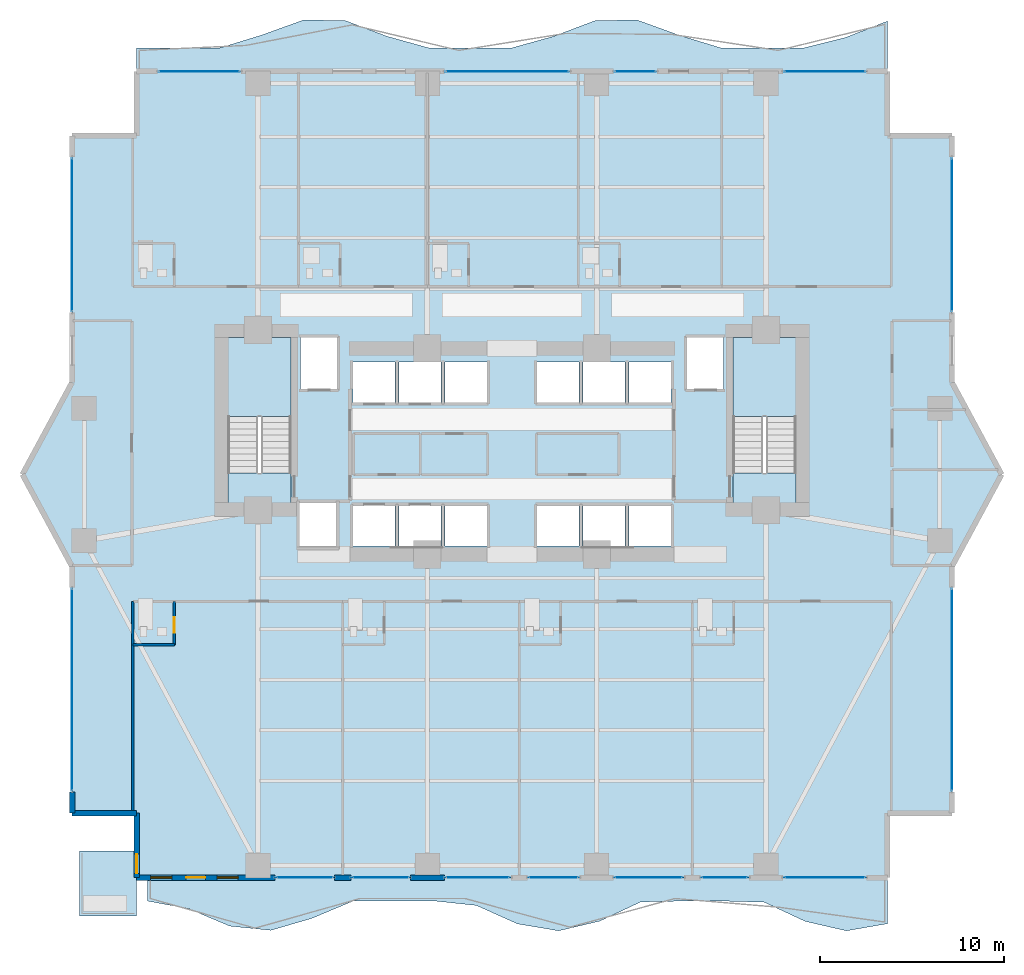
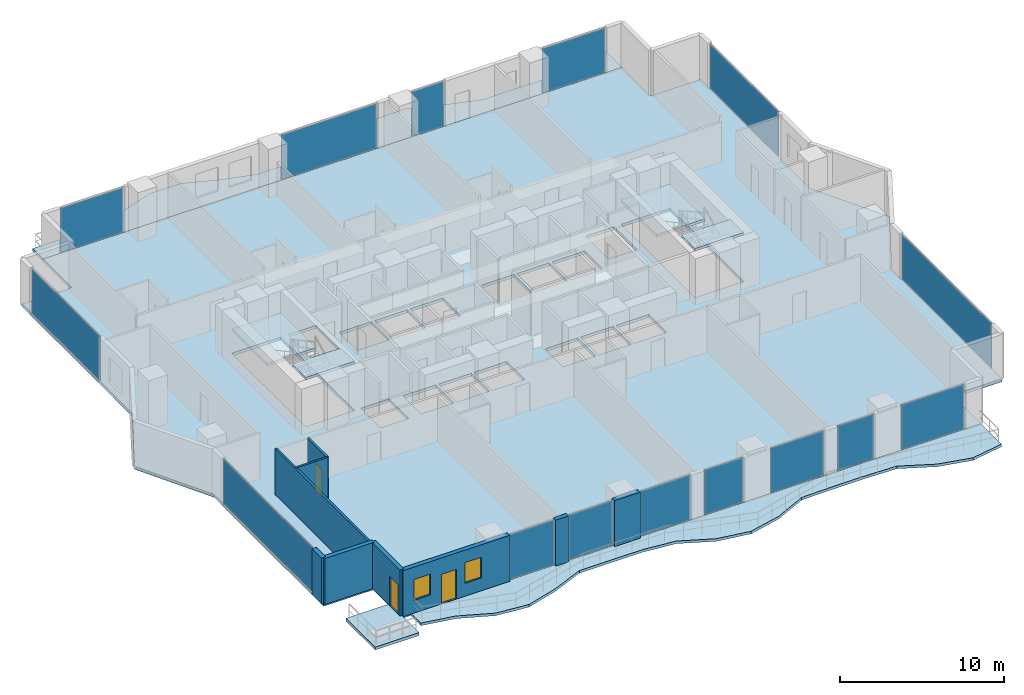
# One storey, part 19 of 27: 15 plates, 9 walls, 8 slabs, 3 doors, 2 windows, 5 openings, 17 elements without a shape of their own.
"""IFC4 building model written with IfcOpenShell, lengths in metres."""

from ifc_helpers import new_model, si_unit, direction, frame, frame_2d, origin, origin_2d, place, context, subcontext, project, spatial, polyline, rectangle, outline, extrude, material, layer, layer_set, type_object, element, fill, aggregate, save


model = new_model("IFC4")

# Units and contexts
model_context = context("Model", 3, precision=1e-05, world=origin(), true_north=direction((0.0, 1.0)))
body_context = subcontext(model_context, "Body", "Model", "MODEL_VIEW")
ifc_project = project(units=[si_unit("LENGTHUNIT", "METRE"), si_unit("AREAUNIT", "SQUARE_METRE"), si_unit("VOLUMEUNIT", "CUBIC_METRE"), si_unit("PLANEANGLEUNIT", "RADIAN"), si_unit("MASSUNIT", "GRAM", prefix="KILO")], contexts=[model_context])

# Site, building, storey
site_placement = place(None, origin())
site = spatial("IfcSite", under=ifc_project, at=site_placement, CompositionType="ELEMENT")
building_placement = place(site_placement, origin())
building = spatial("IfcBuilding", under=site, at=building_placement, Name="Zuhayl Quay Hotel", CompositionType="ELEMENT")
storey_placement = place(building_placement, frame((0.0, 0.0, 124.85009765625)))
storey = spatial("IfcBuildingStorey", under=building, at=storey_placement, Name="L31", CompositionType="ELEMENT", Elevation=124.85009765625)

# Curtain wall, plate
ifc_material_1 = material(Name="Anodised Aluminium 6063-T6", Category="aluminium")
ifc_layer_1 = layer(ifc_material_1, 0.179931640625, Name="Anodised Aluminium 6063-T6", Category="aluminium")
ifc_layer_set_1 = layer_set([ifc_layer_1], Name="Anodised Aluminium 6063-T6")
curtain_wall_type = type_object("IfcCurtainWallType", Name="CW_SYS_Z2", PredefinedType="USERDEFINED", material=ifc_layer_set_1)
curtain_wall_1_placement = place(storey_placement, origin())
curtain_wall_1 = element("IfcCurtainWall", 1, at=curtain_wall_1_placement, inside=storey, type_object=curtain_wall_type, Name="L31 Curtain Wall ENV_L31_E02_CW1", ObjectType="UNITISED CURTAIN WALL", PredefinedType="USERDEFINED")
ifc_material_2 = material(Name="Dark Ceramic-Fritted Solar Glass", Category="glass")
ifc_layer_2 = layer(ifc_material_2, 0.035888671875, Name="Dark Ceramic-Fritted Solar Glass", Category="glass")
ifc_layer_set_2 = layer_set([ifc_layer_2], Name="Dark Ceramic-Fritted Solar Glass")
plate_type = type_object("IfcPlateType", Name="PN_DARK_FRIT_Z1", PredefinedType="CURTAIN_PANEL", material=ifc_layer_set_2)
plate_1_placement = place(storey_placement, frame((-23.89990234375, -5.199951171875, 0.059814453125), z_axis=(0.0, 0.0, 1.0), x_axis=(0.0, 1.0, 0.0)))
plate_1 = element("IfcPlate", 2, at=plate_1_placement, type_object=plate_type, Name="CW-Z2 panel 1.1", PredefinedType="CURTAIN_PANEL", context=body_context, shape_type="SweptSolid", body=[
    extrude(rectangle(XDim=10.969970703125, YDim=0.035888671875, at=origin_2d()), origin(), (0.0, 0.0, 1.0), 3.31005859375),
])
aggregate(curtain_wall_1, [plate_1])

curtain_wall_2_placement = place(storey_placement, origin())
curtain_wall_2 = element("IfcCurtainWall", 3, at=curtain_wall_2_placement, inside=storey, type_object=curtain_wall_type, Name="L31 Curtain Wall ENV_L31_E05_CW1", ObjectType="UNITISED CURTAIN WALL", PredefinedType="USERDEFINED")
plate_2_placement = place(storey_placement, frame((-23.89990234375, 19.52490234375, 0.059814453125), z_axis=(0.0, 0.0, 1.0), x_axis=(0.0, 1.0, 0.0)))
plate_2 = element("IfcPlate", 4, at=plate_2_placement, type_object=plate_type, Name="CW-Z2 panel 1.1", PredefinedType="CURTAIN_PANEL", context=body_context, shape_type="SweptSolid", body=[
    extrude(rectangle(XDim=8.320068359375, YDim=0.035888671875, at=origin_2d()), origin(), (0.0, 0.0, 1.0), 3.31005859375),
])
aggregate(curtain_wall_2, [plate_2])

curtain_wall_3_placement = place(storey_placement, origin())
curtain_wall_3 = element("IfcCurtainWall", 5, at=curtain_wall_3_placement, inside=storey, type_object=curtain_wall_type, Name="L31 Curtain Wall ENV_L31_N_CW1", ObjectType="UNITISED CURTAIN WALL", PredefinedType="USERDEFINED")
plate_3_placement = place(storey_placement, frame((-16.985107421875, 28.39990234375, 0.059814453125), z_axis=(0.0, 0.0, 1.0), x_axis=(1.0, 0.0, 0.0)))
plate_3 = element("IfcPlate", 6, at=plate_3_placement, type_object=plate_type, Name="CW-Z2 panel 1.1", PredefinedType="CURTAIN_PANEL", context=body_context, shape_type="SweptSolid", body=[
    extrude(rectangle(XDim=4.39990234375, YDim=0.035888671875, at=origin_2d()), origin(), (0.0, 0.0, 1.0), 3.31005859375),
])
aggregate(curtain_wall_3, [plate_3])

curtain_wall_4_placement = place(storey_placement, origin())
curtain_wall_4 = element("IfcCurtainWall", 7, at=curtain_wall_4_placement, inside=storey, type_object=curtain_wall_type, Name="L31 Curtain Wall ENV_L31_N_CW2", ObjectType="UNITISED CURTAIN WALL", PredefinedType="USERDEFINED")
plate_4_placement = place(storey_placement, frame((-0.264892578125, 28.39990234375, 0.059814453125), z_axis=(0.0, 0.0, 1.0), x_axis=(1.0, 0.0, 0.0)))
plate_4 = element("IfcPlate", 8, at=plate_4_placement, type_object=plate_type, Name="CW-Z2 panel 1.1", PredefinedType="CURTAIN_PANEL", context=body_context, shape_type="SweptSolid", body=[
    extrude(rectangle(XDim=6.699951171875, YDim=0.035888671875, at=origin_2d()), origin(), (0.0, 0.0, 1.0), 3.31005859375),
])
aggregate(curtain_wall_4, [plate_4])

curtain_wall_5_placement = place(storey_placement, origin())
curtain_wall_5 = element("IfcCurtainWall", 9, at=curtain_wall_5_placement, inside=storey, type_object=curtain_wall_type, Name="L31 Curtain Wall ENV_L31_N_CW3", ObjectType="UNITISED CURTAIN WALL", PredefinedType="USERDEFINED")
plate_5_placement = place(storey_placement, frame((6.702392578125, 28.39990234375, 0.059814453125), z_axis=(0.0, 0.0, 1.0), x_axis=(1.0, 0.0, 0.0)))
plate_5 = element("IfcPlate", 10, at=plate_5_placement, type_object=plate_type, Name="CW-Z2 panel 1.1", PredefinedType="CURTAIN_PANEL", context=body_context, shape_type="SweptSolid", body=[
    extrude(rectangle(XDim=2.235107421875, YDim=0.035888671875, at=origin_2d()), origin(), (0.0, 0.0, 1.0), 3.31005859375),
])
aggregate(curtain_wall_5, [plate_5])

curtain_wall_6_placement = place(storey_placement, origin())
curtain_wall_6 = element("IfcCurtainWall", 11, at=curtain_wall_6_placement, inside=storey, type_object=curtain_wall_type, Name="L31 Curtain Wall ENV_L31_N_CW4", ObjectType="UNITISED CURTAIN WALL", PredefinedType="USERDEFINED")
plate_6_placement = place(storey_placement, frame((16.985107421875, 28.39990234375, 0.059814453125), z_axis=(0.0, 0.0, 1.0), x_axis=(1.0, 0.0, 0.0)))
plate_6 = element("IfcPlate", 12, at=plate_6_placement, type_object=plate_type, Name="CW-Z2 panel 1.1", PredefinedType="CURTAIN_PANEL", context=body_context, shape_type="SweptSolid", body=[
    extrude(rectangle(XDim=4.39990234375, YDim=0.035888671875, at=origin_2d()), origin(), (0.0, 0.0, 1.0), 3.31005859375),
])
aggregate(curtain_wall_6, [plate_6])

curtain_wall_7_placement = place(storey_placement, origin())
curtain_wall_7 = element("IfcCurtainWall", 13, at=curtain_wall_7_placement, inside=storey, type_object=curtain_wall_type, Name="L31 Curtain Wall ENV_L31_E11_CW1", ObjectType="UNITISED CURTAIN WALL", PredefinedType="USERDEFINED")
plate_7_placement = place(storey_placement, frame((23.89990234375, 19.52490234375, 0.059814453125), z_axis=(0.0, 0.0, 1.0), x_axis=(0.0, -1.0, 0.0)))
plate_7 = element("IfcPlate", 14, at=plate_7_placement, type_object=plate_type, Name="CW-Z2 panel 1.1", PredefinedType="CURTAIN_PANEL", context=body_context, shape_type="SweptSolid", body=[
    extrude(rectangle(XDim=8.320068359375, YDim=0.035888671875, at=origin_2d()), origin(), (0.0, 0.0, 1.0), 3.31005859375),
])
aggregate(curtain_wall_7, [plate_7])

curtain_wall_8_placement = place(storey_placement, origin())
curtain_wall_8 = element("IfcCurtainWall", 15, at=curtain_wall_8_placement, inside=storey, type_object=curtain_wall_type, Name="L31 Curtain Wall ENV_L31_E14_CW1", ObjectType="UNITISED CURTAIN WALL", PredefinedType="USERDEFINED")
plate_8_placement = place(storey_placement, frame((23.89990234375, -5.199951171875, 0.059814453125), z_axis=(0.0, 0.0, 1.0), x_axis=(0.0, -1.0, 0.0)))
plate_8 = element("IfcPlate", 16, at=plate_8_placement, type_object=plate_type, Name="CW-Z2 panel 1.1", PredefinedType="CURTAIN_PANEL", context=body_context, shape_type="SweptSolid", body=[
    extrude(rectangle(XDim=10.969970703125, YDim=0.035888671875, at=origin_2d()), origin(), (0.0, 0.0, 1.0), 3.31005859375),
])
aggregate(curtain_wall_8, [plate_8])

curtain_wall_9_placement = place(storey_placement, origin())
curtain_wall_9 = element("IfcCurtainWall", 17, at=curtain_wall_9_placement, inside=storey, type_object=curtain_wall_type, Name="L31 Curtain Wall ENV_L31_S_CW1", ObjectType="UNITISED CURTAIN WALL", PredefinedType="USERDEFINED")
plate_9_placement = place(storey_placement, frame((16.985107421875, -15.39990234375, 0.059814453125), z_axis=(0.0, 0.0, 1.0), x_axis=(-1.0, 0.0, 0.0)))
plate_9 = element("IfcPlate", 18, at=plate_9_placement, type_object=plate_type, Name="CW-Z2 panel 1.1", PredefinedType="CURTAIN_PANEL", context=body_context, shape_type="SweptSolid", body=[
    extrude(rectangle(XDim=4.39990234375, YDim=0.035888671875, at=origin_2d()), origin(), (0.0, 0.0, 1.0), 3.31005859375),
])
aggregate(curtain_wall_9, [plate_9])

curtain_wall_10_placement = place(storey_placement, origin())
curtain_wall_10 = element("IfcCurtainWall", 19, at=curtain_wall_10_placement, inside=storey, type_object=curtain_wall_type, Name="L31 Curtain Wall ENV_L31_S_CW2", ObjectType="UNITISED CURTAIN WALL", PredefinedType="USERDEFINED")
plate_10_placement = place(storey_placement, frame((11.56494140625, -15.39990234375, 0.059814453125), z_axis=(0.0, 0.0, 1.0), x_axis=(-1.0, 0.0, 0.0)))
plate_10 = element("IfcPlate", 20, at=plate_10_placement, type_object=plate_type, Name="CW-Z2 panel 1.1", PredefinedType="CURTAIN_PANEL", context=body_context, shape_type="SweptSolid", body=[
    extrude(rectangle(XDim=2.5, YDim=0.035888671875, at=origin_2d()), origin(), (0.0, 0.0, 1.0), 3.31005859375),
])
aggregate(curtain_wall_10, [plate_10])

curtain_wall_11_placement = place(storey_placement, origin())
curtain_wall_11 = element("IfcCurtainWall", 21, at=curtain_wall_11_placement, inside=storey, type_object=curtain_wall_type, Name="L31 Curtain Wall ENV_L31_S_CW3", ObjectType="UNITISED CURTAIN WALL", PredefinedType="USERDEFINED")
plate_11_placement = place(storey_placement, frame((7.43505859375, -15.39990234375, 0.059814453125), z_axis=(0.0, 0.0, 1.0), x_axis=(-1.0, 0.0, 0.0)))
plate_11 = element("IfcPlate", 22, at=plate_11_placement, type_object=plate_type, Name="CW-Z2 panel 1.1", PredefinedType="CURTAIN_PANEL", context=body_context, shape_type="SweptSolid", body=[
    extrude(rectangle(XDim=3.699951171875, YDim=0.035888671875, at=origin_2d()), origin(), (0.0, 0.0, 1.0), 3.31005859375),
])
aggregate(curtain_wall_11, [plate_11])

curtain_wall_12_placement = place(storey_placement, origin())
curtain_wall_12 = element("IfcCurtainWall", 23, at=curtain_wall_12_placement, inside=storey, type_object=curtain_wall_type, Name="L31 Curtain Wall ENV_L31_S_CW4", ObjectType="UNITISED CURTAIN WALL", PredefinedType="USERDEFINED")
plate_12_placement = place(storey_placement, frame((2.264892578125, -15.39990234375, 0.059814453125), z_axis=(0.0, 0.0, 1.0), x_axis=(-1.0, 0.0, 0.0)))
plate_12 = element("IfcPlate", 24, at=plate_12_placement, type_object=plate_type, Name="CW-Z2 panel 1.1", PredefinedType="CURTAIN_PANEL", context=body_context, shape_type="SweptSolid", body=[
    extrude(rectangle(XDim=2.699951171875, YDim=0.035888671875, at=origin_2d()), origin(), (0.0, 0.0, 1.0), 3.31005859375),
])
aggregate(curtain_wall_12, [plate_12])

curtain_wall_13_placement = place(storey_placement, origin())
curtain_wall_13 = element("IfcCurtainWall", 25, at=curtain_wall_13_placement, inside=storey, type_object=curtain_wall_type, Name="L31 Curtain Wall ENV_L31_S_CW5", ObjectType="UNITISED CURTAIN WALL", PredefinedType="USERDEFINED")
plate_13_placement = place(storey_placement, frame((-1.864990234375, -15.39990234375, 0.059814453125), z_axis=(0.0, 0.0, 1.0), x_axis=(-1.0, 0.0, 0.0)))
plate_13 = element("IfcPlate", 26, at=plate_13_placement, type_object=plate_type, Name="CW-Z2 panel 1.1", PredefinedType="CURTAIN_PANEL", context=body_context, shape_type="SweptSolid", body=[
    extrude(rectangle(XDim=3.5, YDim=0.035888671875, at=origin_2d()), origin(), (0.0, 0.0, 1.0), 3.31005859375),
])
aggregate(curtain_wall_13, [plate_13])

curtain_wall_14_placement = place(storey_placement, origin())
curtain_wall_14 = element("IfcCurtainWall", 27, at=curtain_wall_14_placement, inside=storey, type_object=curtain_wall_type, Name="L31 Curtain Wall ENV_L31_S_CW6", ObjectType="UNITISED CURTAIN WALL", PredefinedType="USERDEFINED")
plate_14_placement = place(storey_placement, frame((-7.135009765625, -15.39990234375, 0.059814453125), z_axis=(0.0, 0.0, 1.0), x_axis=(-1.0, 0.0, 0.0)))
plate_14 = element("IfcPlate", 28, at=plate_14_placement, type_object=plate_type, Name="CW-Z2 panel 1.1", PredefinedType="CURTAIN_PANEL", context=body_context, shape_type="SweptSolid", body=[
    extrude(rectangle(XDim=3.10009765625, YDim=0.035888671875, at=origin_2d()), origin(), (0.0, 0.0, 1.0), 3.31005859375),
])
aggregate(curtain_wall_14, [plate_14])

curtain_wall_15_placement = place(storey_placement, origin())
curtain_wall_15 = element("IfcCurtainWall", 29, at=curtain_wall_15_placement, inside=storey, type_object=curtain_wall_type, Name="L31 Curtain Wall ENV_L31_S_CW7", ObjectType="UNITISED CURTAIN WALL", PredefinedType="USERDEFINED")
plate_15_placement = place(storey_placement, frame((-11.264892578125, -15.39990234375, 0.059814453125), z_axis=(0.0, 0.0, 1.0), x_axis=(-1.0, 0.0, 0.0)))
plate_15 = element("IfcPlate", 30, at=plate_15_placement, type_object=plate_type, Name="CW-Z2 panel 1.1", PredefinedType="CURTAIN_PANEL", context=body_context, shape_type="SweptSolid", body=[
    extrude(rectangle(XDim=3.10009765625, YDim=0.035888671875, at=origin_2d()), origin(), (0.0, 0.0, 1.0), 3.31005859375),
])
aggregate(curtain_wall_15, [plate_15])

# Slabs
ifc_material_3 = material(Name="Concrete C45/55", Category="concrete")
ifc_layer_3 = layer(ifc_material_3, 0.195068359375, Name="Concrete C45/55", Category="concrete")
ifc_layer_set_3 = layer_set([ifc_layer_3], Name="Concrete C45/55")
slab_type_1 = type_object("IfcSlabType", Name="SL_BALCONY_195", PredefinedType="FLOOR", material=ifc_layer_set_3)
slab_1_placement = place(storey_placement, frame((0.0, 0.0, -0.195068359375)))
element("IfcSlab", 31, at=slab_1_placement, inside=storey, type_object=slab_type_1, Name="L31 Exterior Rippling Balcony Slab North", PredefinedType="FLOOR", context=body_context, shape_type="SweptSolid", body=[
    extrude(outline(polyline([(-20.39990234375, 28.39990234375), (20.39990234375, 28.39990234375), (20.39990234375, 31.132568359375), (18.13330078125, 30.24560546875), (15.86669921875, 29.679931640625), (13.60009765625, 29.679931640625), (11.333251953125, 29.679931640625), (9.066650390625, 30.37353515625), (6.800048828125, 31.19189453125), (4.533203125, 31.163818359375), (2.2666015625, 30.309814453125), (0.0, 29.679931640625), (-2.2666015625, 29.679931640625), (-4.533203125, 29.679931640625), (-6.800048828125, 30.309814453125), (-9.066650390625, 31.163818359375), (-11.333251953125, 31.19189453125), (-13.60009765625, 30.37353515625), (-15.86669921875, 29.679931640625), (-18.13330078125, 29.679931640625), (-20.39990234375, 29.679931640625), (-20.39990234375, 28.39990234375)])), origin(), (0.0, 0.0, 1.0), 0.195068359375),
])
slab_2_placement = place(storey_placement, frame((0.0, 0.0, -0.195068359375)))
element("IfcSlab", 32, at=slab_2_placement, inside=storey, type_object=slab_type_1, Name="L31 Exterior Rippling Balcony Slab South", PredefinedType="FLOOR", context=body_context, shape_type="SweptSolid", body=[
    extrude(outline(polyline([(-19.800048828125, -16.679931640625), (-17.566650390625, -17.09912109375), (-15.333251953125, -18.041748046875), (-13.10009765625, -18.269287109375), (-10.86669921875, -17.617431640625), (-8.63330078125, -16.679931640625), (-6.39990234375, -16.679931640625), (-4.166748046875, -16.679931640625), (-1.933349609375, -16.919189453125), (0.300048828125, -17.922119140625), (2.533203125, -18.296142578125), (4.7666015625, -17.771484375), (7.0, -16.7265625), (9.2333984375, -16.679931640625), (11.466796875, -16.679931640625), (13.699951171875, -16.7421875), (15.933349609375, -17.78466796875), (18.166748046875, -18.29736328125), (20.39990234375, -17.910400390625), (20.39990234375, -15.39990234375), (-19.800048828125, -15.39990234375), (-19.800048828125, -16.679931640625)])), origin(), (0.0, 0.0, 1.0), 0.195068359375),
])
ifc_layer_4 = layer(ifc_material_3, 0.219970703125, Name="Concrete C45/55", Category="concrete")
ifc_layer_set_4 = layer_set([ifc_layer_4], Name="Concrete C45/55")
slab_type_2 = type_object("IfcSlabType", Name="SL_FLOOR_220", PredefinedType="FLOOR", material=ifc_layer_set_4)
slab_3_placement = place(storey_placement, frame((0.0, 0.0, -0.22021484375)))
element("IfcSlab", 33, at=slab_3_placement, inside=storey, type_object=slab_type_2, Name="L31 Structural Floor Slab", PredefinedType="FLOOR", context=body_context, shape_type="SweptSolid", body=[
    extrude(outline(polyline([(-20.39990234375, -15.39990234375), (20.39990234375, -15.39990234375), (20.39990234375, -11.89990234375), (23.89990234375, -11.89990234375), (23.89990234375, 1.5), (26.60009765625, 6.5), (23.89990234375, 11.5), (23.89990234375, 24.89990234375), (20.39990234375, 24.89990234375), (20.39990234375, 28.39990234375), (-20.39990234375, 28.39990234375), (-20.39990234375, 24.89990234375), (-23.89990234375, 24.89990234375), (-23.89990234375, 11.5), (-26.60009765625, 6.5), (-23.89990234375, 1.5), (-23.89990234375, -11.89990234375), (-20.39990234375, -11.89990234375), (-20.39990234375, -15.39990234375)]), holes=[polyline([(-12.0, 4.949951171875), (-12.0, 13.949951171875), (-15.429931640625, 13.949951171875), (-15.429931640625, 4.949951171875), (-12.0, 4.949951171875)]), polyline([(15.429931640625, 4.949951171875), (15.429931640625, 13.949951171875), (12.0, 13.949951171875), (12.0, 4.949951171875), (15.429931640625, 4.949951171875)]), polyline([(-11.5, 11.14990234375), (-9.5, 11.14990234375), (-9.5, 13.949951171875), (-11.5, 13.949951171875), (-11.5, 11.14990234375)]), polyline([(9.5, 11.14990234375), (11.5, 11.14990234375), (11.5, 13.949951171875), (9.5, 13.949951171875), (9.5, 11.14990234375)]), polyline([(-8.64990234375, 2.60009765625), (-6.35009765625, 2.60009765625), (-6.35009765625, 4.800048828125), (-8.64990234375, 4.800048828125), (-8.64990234375, 2.60009765625)]), polyline([(-6.14990234375, 2.60009765625), (-3.85009765625, 2.60009765625), (-3.85009765625, 4.800048828125), (-6.14990234375, 4.800048828125), (-6.14990234375, 2.60009765625)]), polyline([(-8.64990234375, 10.39990234375), (-6.35009765625, 10.39990234375), (-6.35009765625, 12.60009765625), (-8.64990234375, 12.60009765625), (-8.64990234375, 10.39990234375)]), polyline([(-6.14990234375, 10.39990234375), (-3.85009765625, 10.39990234375), (-3.85009765625, 12.60009765625), (-6.14990234375, 12.60009765625), (-6.14990234375, 10.39990234375)]), polyline([(-3.64990234375, 2.60009765625), (-1.35009765625, 2.60009765625), (-1.35009765625, 4.800048828125), (-3.64990234375, 4.800048828125), (-3.64990234375, 2.60009765625)]), polyline([(1.35009765625, 2.60009765625), (3.64990234375, 2.60009765625), (3.64990234375, 4.800048828125), (1.35009765625, 4.800048828125), (1.35009765625, 2.60009765625)]), polyline([(-3.64990234375, 10.39990234375), (-1.35009765625, 10.39990234375), (-1.35009765625, 12.60009765625), (-3.64990234375, 12.60009765625), (-3.64990234375, 10.39990234375)]), polyline([(1.35009765625, 10.39990234375), (3.64990234375, 10.39990234375), (3.64990234375, 12.60009765625), (1.35009765625, 12.60009765625), (1.35009765625, 10.39990234375)]), polyline([(3.85009765625, 2.60009765625), (6.14990234375, 2.60009765625), (6.14990234375, 4.800048828125), (3.85009765625, 4.800048828125), (3.85009765625, 2.60009765625)]), polyline([(6.35009765625, 2.60009765625), (8.64990234375, 2.60009765625), (8.64990234375, 4.800048828125), (6.35009765625, 4.800048828125), (6.35009765625, 2.60009765625)]), polyline([(3.85009765625, 10.39990234375), (6.14990234375, 10.39990234375), (6.14990234375, 12.60009765625), (3.85009765625, 12.60009765625), (3.85009765625, 10.39990234375)]), polyline([(6.35009765625, 10.39990234375), (8.64990234375, 10.39990234375), (8.64990234375, 12.60009765625), (6.35009765625, 12.60009765625), (6.35009765625, 10.39990234375)]), polyline([(-11.550048828125, 2.550048828125), (-9.550048828125, 2.550048828125), (-9.550048828125, 4.949951171875), (-11.550048828125, 4.949951171875), (-11.550048828125, 2.550048828125)])]), origin(), (0.0, 0.0, 1.0), 0.22021484375),
])

# Stair, slabs
stair_type = type_object("IfcStairType", Name="ST_DOGLEG_TOWER", PredefinedType="HALF_TURN_STAIR", material=ifc_material_3)
stair_1_placement = place(storey_placement, origin())
stair_1 = element("IfcStair", 34, at=stair_1_placement, inside=storey, type_object=stair_type, Name="L31 Smokeproof Exit Stair ST1", PredefinedType="HALF_TURN_STAIR")
ifc_layer_5 = layer(ifc_material_3, 0.199951171875, Name="Concrete C45/55", Category="concrete")
ifc_layer_set_5 = layer_set([ifc_layer_5], Name="Concrete C45/55")
slab_type_3 = type_object("IfcSlabType", Name="SL_STAIR_LANDING_200", PredefinedType="LANDING", material=ifc_layer_set_5)
slab_4_placement = place(storey_placement, frame((0.0, 0.0, 1.625)))
slab_4 = element("IfcSlab", 35, at=slab_4_placement, type_object=slab_type_3, Name="ST1 landing 1", PredefinedType="LANDING", context=body_context, shape_type="SweptSolid", body=[
    extrude(outline(polyline([(-12.0, 9.64990234375), (-12.0, 13.949951171875), (-15.429931640625, 13.949951171875), (-15.429931640625, 9.64990234375), (-12.0, 9.64990234375)])), origin(), (0.0, 0.0, 1.0), 0.199951171875),
])
slab_5_placement = place(storey_placement, frame((0.0, 0.0, 3.449951171875)))
slab_5 = element("IfcSlab", 36, at=slab_5_placement, type_object=slab_type_3, Name="ST1 landing 2", PredefinedType="LANDING", context=body_context, shape_type="SweptSolid", body=[
    extrude(outline(polyline([(-12.0, 4.949951171875), (-12.0, 6.590087890625), (-15.429931640625, 6.590087890625), (-15.429931640625, 4.949951171875), (-12.0, 4.949951171875)])), origin(), (0.0, 0.0, 1.0), 0.199951171875),
])
aggregate(stair_1, [slab_4, slab_5])

stair_2_placement = place(storey_placement, origin())
stair_2 = element("IfcStair", 37, at=stair_2_placement, inside=storey, type_object=stair_type, Name="L31 Smokeproof Exit Stair ST2", PredefinedType="HALF_TURN_STAIR")
slab_6_placement = place(storey_placement, frame((0.0, 0.0, 1.625)))
slab_6 = element("IfcSlab", 38, at=slab_6_placement, type_object=slab_type_3, Name="ST2 landing 1", PredefinedType="LANDING", context=body_context, shape_type="SweptSolid", body=[
    extrude(outline(polyline([(15.429931640625, 9.64990234375), (15.429931640625, 13.949951171875), (12.0, 13.949951171875), (12.0, 9.64990234375), (15.429931640625, 9.64990234375)])), origin(), (0.0, 0.0, 1.0), 0.199951171875),
])
slab_7_placement = place(storey_placement, frame((0.0, 0.0, 3.449951171875)))
slab_7 = element("IfcSlab", 39, at=slab_7_placement, type_object=slab_type_3, Name="ST2 landing 2", PredefinedType="LANDING", context=body_context, shape_type="SweptSolid", body=[
    extrude(outline(polyline([(15.429931640625, 4.949951171875), (15.429931640625, 6.590087890625), (12.0, 6.590087890625), (12.0, 4.949951171875), (15.429931640625, 4.949951171875)])), origin(), (0.0, 0.0, 1.0), 0.199951171875),
])
aggregate(stair_2, [slab_6, slab_7])

# Slab
ifc_layer_6 = layer(ifc_material_3, 0.219970703125, Name="Concrete C45/55", Category="concrete")
ifc_layer_set_6 = layer_set([ifc_layer_6], Name="Concrete C45/55")
slab_type_4 = type_object("IfcSlabType", Name="SL_TERRACE_235", PredefinedType="FLOOR", material=ifc_layer_set_6)
slab_8_placement = place(storey_placement, frame((0.0, 0.0, -0.22021484375)))
element("IfcSlab", 40, at=slab_8_placement, inside=storey, type_object=slab_type_4, Name="L31 Exterior Sky-Terrace Slab L31_SPIRAL_SW", PredefinedType="FLOOR", context=body_context, shape_type="SweptSolid", body=[
    extrude(outline(polyline([(-23.5, -17.5), (-20.39990234375, -17.5), (-20.39990234375, -13.949951171875), (-23.5, -13.949951171875), (-23.5, -17.5)])), origin(), (0.0, 0.0, 1.0), 0.22021484375),
])

# Walls
ifc_material_4 = material(Name="Precast concrete C45/55", Category="concrete")
ifc_layer_7 = layer(ifc_material_4, 0.300048828125, Name="Precast concrete C45/55", Category="concrete")
ifc_layer_set_7 = layer_set([ifc_layer_7], Name="Precast concrete C45/55")
wall_type_1 = type_object("IfcWallType", Name="WL_EXT_300", PredefinedType="STANDARD", material=ifc_layer_set_7)
wall_1_placement = place(storey_placement, frame((-20.39990234375, -11.89990234375, 0.0), z_axis=(0.0, 0.0, 1.0), x_axis=(-1.0, 0.0, 0.0)))
element("IfcWall", 41, at=wall_1_placement, inside=storey, type_object=wall_type_1, Name="L31 Exterior Precast Wall ENV_L31_EW01", PredefinedType="STANDARD", context=body_context, shape_type="SweptSolid", body=[
    extrude(rectangle(XDim=3.5, YDim=0.300048828125, at=frame_2d((1.75, 0.0))), origin(), (0.0, 0.0, 1.0), 3.429931640625),
])
wall_2_placement = place(storey_placement, frame((-23.89990234375, -11.89990234375, 0.0), z_axis=(0.0, 0.0, 1.0), x_axis=(0.0, 1.0, 0.0)))
element("IfcWall", 42, at=wall_2_placement, inside=storey, type_object=wall_type_1, Name="L31 Exterior Precast Wall ENV_L31_E02_EW1", PredefinedType="STANDARD", context=body_context, shape_type="SweptSolid", body=[
    extrude(rectangle(XDim=1.14990234375, YDim=0.300048828125, at=frame_2d((0.574951171875, 0.0))), origin(), (0.0, 0.0, 1.0), 3.429931640625),
])
wall_3_placement = place(storey_placement, frame((-3.679931640625, -15.39990234375, 0.0), z_axis=(0.0, 0.0, 1.0), x_axis=(-1.0, 0.0, 0.0)))
element("IfcWall", 43, at=wall_3_placement, inside=storey, type_object=wall_type_1, Name="L31 Exterior Precast Wall ENV_L31_S_EW6", PredefinedType="STANDARD", context=body_context, shape_type="SweptSolid", body=[
    extrude(rectangle(XDim=1.840087890625, YDim=0.300048828125, at=frame_2d((0.919921875, 0.0))), origin(), (0.0, 0.0, 1.0), 3.429931640625),
])
wall_4_placement = place(storey_placement, frame((-8.75, -15.39990234375, 0.0), z_axis=(0.0, 0.0, 1.0), x_axis=(-1.0, 0.0, 0.0)))
element("IfcWall", 44, at=wall_4_placement, inside=storey, type_object=wall_type_1, Name="L31 Exterior Precast Wall ENV_L31_S_EW7", PredefinedType="STANDARD", context=body_context, shape_type="SweptSolid", body=[
    extrude(rectangle(XDim=0.89990234375, YDim=0.300048828125, at=frame_2d((0.449951171875, 0.0))), origin(), (0.0, 0.0, 1.0), 3.429931640625),
])

# Wall, openings, door, windows
wall_5_placement = place(storey_placement, frame((-12.8798828125, -15.39990234375, 0.0), z_axis=(0.0, 0.0, 1.0), x_axis=(-1.0, 0.0, 0.0)))
wall_5 = element("IfcWall", 45, at=wall_5_placement, inside=storey, type_object=wall_type_1, Name="L31 Exterior Precast Wall ENV_L31_S_EW8", PredefinedType="STANDARD", context=body_context, shape_type="SweptSolid", body=[
    extrude(rectangle(XDim=7.52001953125, YDim=0.300048828125, at=frame_2d((3.760009765625, 0.0))), origin(), (0.0, 0.0, 1.0), 3.429931640625),
])
opening_1_placement = place(wall_5_placement, frame((3.77490234375, 0.0, 0.0)))
opening_1 = element("IfcOpeningElement", 46, at=opening_1_placement, cuts=wall_5, Name="Opening DG1", PredefinedType="OPENING", context=body_context, shape_type="SweptSolid", body=[
    extrude(rectangle(XDim=1.050048828125, YDim=2.199951171875, at=frame_2d((0.52490234375, 1.10009765625))), frame((0.0, 0.159912109375, 0.0), z_axis=(0.0, -1.0, 0.0), x_axis=(1.0, 0.0, 0.0)), (0.0, 0.0, 1.0), 0.320068359375),
])
opening_2_placement = place(wall_5_placement, frame((1.99755859375, 0.0, 0.949951171875)))
opening_2 = element("IfcOpeningElement", 47, at=opening_2_placement, cuts=wall_5, Name="Opening W01N", PredefinedType="OPENING", context=body_context, shape_type="SweptSolid", body=[
    extrude(rectangle(XDim=1.14990234375, YDim=1.550048828125, at=frame_2d((0.574951171875, 0.77490234375))), frame((0.0, 0.159912109375, 0.0), z_axis=(0.0, -1.0, 0.0), x_axis=(1.0, 0.0, 0.0)), (0.0, 0.0, 1.0), 0.320068359375),
])
opening_3_placement = place(wall_5_placement, frame((5.6025390625, 0.0, 0.949951171875)))
opening_3 = element("IfcOpeningElement", 48, at=opening_3_placement, cuts=wall_5, Name="Opening W01N", PredefinedType="OPENING", context=body_context, shape_type="SweptSolid", body=[
    extrude(rectangle(XDim=1.14990234375, YDim=1.550048828125, at=frame_2d((0.574951171875, 0.77490234375))), frame((0.0, 0.159912109375, 0.0), z_axis=(0.0, -1.0, 0.0), x_axis=(1.0, 0.0, 0.0)), (0.0, 0.0, 1.0), 0.320068359375),
])
ifc_material_5 = material(Name="Anodised Aluminium and Dark Solar Glass", Category="aluminium")
door_type_1 = type_object("IfcDoorType", Name="DR_EXT_TERR_1050", OperationType="NOTDEFINED", PredefinedType="DOOR", material=ifc_material_5)
door_1_placement = place(opening_1_placement, origin())
door_1 = element("IfcDoor", 49, at=door_1_placement, inside=storey, type_object=door_type_1, Name="L31 South Rippling Balcony Door", OperationType="SINGLE_SWING_RIGHT", OverallHeight=2.199951171875, OverallWidth=1.050048828125, PredefinedType="DOOR", context=body_context, shape_type="SweptSolid", body=[
    extrude(rectangle(XDim=1.050048828125, YDim=2.199951171875, at=frame_2d((0.52490234375, 1.10009765625))), frame((0.0, 0.02490234375, 0.0), z_axis=(0.0, -1.0, 0.0), x_axis=(1.0, 0.0, 0.0)), (0.0, 0.0, 1.0), 0.050048828125),
])
fill(opening_1, door_1)
window_type = type_object("IfcWindowType", Name="WN_NOTCH_1350", PartitioningType="SINGLE_PANEL", PredefinedType="WINDOW", material=ifc_material_2)
window_1_placement = place(opening_2_placement, origin())
window_1 = element("IfcWindow", 50, at=window_1_placement, inside=storey, type_object=window_type, Name="L31 Operable Facade Window 8-1", OverallHeight=1.550048828125, OverallWidth=1.14990234375, PartitioningType="SINGLE_PANEL", PredefinedType="WINDOW", context=body_context, shape_type="SweptSolid", body=[
    extrude(rectangle(XDim=1.14990234375, YDim=1.550048828125, at=frame_2d((0.574951171875, 0.77490234375))), frame((0.0, 0.030029296875, 0.0), z_axis=(0.0, -1.0, 0.0), x_axis=(1.0, 0.0, 0.0)), (0.0, 0.0, 1.0), 0.06005859375),
])
fill(opening_2, window_1)
window_2_placement = place(opening_3_placement, origin())
window_2 = element("IfcWindow", 51, at=window_2_placement, inside=storey, type_object=window_type, Name="L31 Operable Facade Window 8-2", OverallHeight=1.550048828125, OverallWidth=1.14990234375, PartitioningType="SINGLE_PANEL", PredefinedType="WINDOW", context=body_context, shape_type="SweptSolid", body=[
    extrude(rectangle(XDim=1.14990234375, YDim=1.550048828125, at=frame_2d((0.574951171875, 0.77490234375))), frame((0.0, 0.030029296875, 0.0), z_axis=(0.0, -1.0, 0.0), x_axis=(1.0, 0.0, 0.0)), (0.0, 0.0, 1.0), 0.06005859375),
])
fill(opening_3, window_2)

# Wall, opening, door
wall_6_placement = place(storey_placement, frame((-20.39990234375, -15.39990234375, 0.0), z_axis=(0.0, 0.0, 1.0), x_axis=(0.0, 1.0, 0.0)))
wall_6 = element("IfcWall", 52, at=wall_6_placement, inside=storey, type_object=wall_type_1, Name="L31 Exterior Precast Wall ENV_L31_SP_SW", PredefinedType="STANDARD", context=body_context, shape_type="SweptSolid", body=[
    extrude(rectangle(XDim=3.5, YDim=0.300048828125, at=frame_2d((1.75, 0.0))), origin(), (0.0, 0.0, 1.0), 3.429931640625),
])
opening_4_placement = place(wall_6_placement, frame((0.219970703125, 0.0, 0.0)))
opening_4 = element("IfcOpeningElement", 53, at=opening_4_placement, cuts=wall_6, Name="Opening DG1", PredefinedType="OPENING", context=body_context, shape_type="SweptSolid", body=[
    extrude(rectangle(XDim=1.050048828125, YDim=2.199951171875, at=frame_2d((0.52490234375, 1.10009765625))), frame((0.0, 0.159912109375, 0.0), z_axis=(0.0, -1.0, 0.0), x_axis=(1.0, 0.0, 0.0)), (0.0, 0.0, 1.0), 0.320068359375),
])
door_2_placement = place(opening_4_placement, origin())
door_2 = element("IfcDoor", 54, at=door_2_placement, inside=storey, type_object=door_type_1, Name="L31 Spiral Sky-Terrace SW Access Door", OperationType="SINGLE_SWING_LEFT", OverallHeight=2.199951171875, OverallWidth=1.050048828125, PredefinedType="DOOR", context=body_context, shape_type="SweptSolid", body=[
    extrude(rectangle(XDim=1.050048828125, YDim=2.199951171875, at=frame_2d((0.52490234375, 1.10009765625))), frame((0.0, 0.02490234375, 0.0), z_axis=(0.0, -1.0, 0.0), x_axis=(1.0, 0.0, 0.0)), (0.0, 0.0, 1.0), 0.050048828125),
])
fill(opening_4, door_2)

# Wall
ifc_material_6 = material(Name="Acoustic Gypsum Partition STC-58")
ifc_layer_8 = layer(ifc_material_6, 0.14990234375, Name="Acoustic Gypsum Partition STC-58")
ifc_layer_set_8 = layer_set([ifc_layer_8], Name="Acoustic Gypsum Partition STC-58")
wall_type_2 = type_object("IfcWallType", Name="WL_PART_150", PredefinedType="PARTITIONING", material=ifc_layer_set_8)
wall_7_placement = place(storey_placement, frame((-20.60009765625, -11.89990234375, 0.0), z_axis=(0.0, 0.0, 1.0), x_axis=(0.0, 1.0, 0.0)))
element("IfcWall", 55, at=wall_7_placement, inside=storey, type_object=wall_type_2, Name="L31 Partition IW_L31_SU01_W", PredefinedType="PARTITIONING", context=body_context, shape_type="SweptSolid", body=[
    extrude(rectangle(XDim=11.5, YDim=0.14990234375, at=frame_2d((5.75, 0.0))), origin(), (0.0, 0.0, 1.0), 3.429931640625),
])

# Wall, opening, door
ifc_material_7 = material(Name="Moisture-Resistant Sanitarychase Gypsum")
ifc_layer_9 = layer(ifc_material_7, 0.135009765625, Name="Moisture-Resistant Sanitarychase Gypsum")
ifc_layer_set_9 = layer_set([ifc_layer_9], Name="Moisture-Resistant Sanitarychase Gypsum")
wall_type_3 = type_object("IfcWallType", Name="WL_PART_PLUMB_150", PredefinedType="PLUMBINGWALL", material=ifc_layer_set_9)
wall_8_placement = place(storey_placement, frame((-18.340087890625, -2.760009765625, 0.0), z_axis=(0.0, 0.0, 1.0), x_axis=(0.0, 1.0, 0.0)))
wall_8 = element("IfcWall", 56, at=wall_8_placement, inside=storey, type_object=wall_type_3, Name="L31 Partition IW_L31_SU01_BE", PredefinedType="PLUMBINGWALL", context=body_context, shape_type="SweptSolid", body=[
    extrude(rectangle(XDim=2.360107421875, YDim=0.135009765625, at=frame_2d((1.18017578125, 0.0))), origin(), (0.0, 0.0, 1.0), 3.429931640625),
])
opening_5_placement = place(wall_8_placement, frame((0.64990234375, 0.0, 0.0)))
opening_5 = element("IfcOpeningElement", 57, at=opening_5_placement, cuts=wall_8, Name="Opening D04", PredefinedType="OPENING", context=body_context, shape_type="SweptSolid", body=[
    extrude(rectangle(XDim=0.85009765625, YDim=2.10009765625, at=frame_2d((0.425048828125, 1.050048828125))), frame((0.0, 0.077392578125, 0.0), z_axis=(0.0, -1.0, 0.0), x_axis=(1.0, 0.0, 0.0)), (0.0, 0.0, 1.0), 0.155029296875),
])
ifc_material_8 = material(Name="Moisture-Resistant Walnut Veneer")
door_type_2 = type_object("IfcDoorType", Name="DR_BATH_850", OperationType="NOTDEFINED", PredefinedType="DOOR", material=ifc_material_8)
door_3_placement = place(opening_5_placement, origin())
door_3 = element("IfcDoor", 58, at=door_3_placement, inside=storey, type_object=door_type_2, Name="L31 City-View Junior Suite L31-01 En-Suite Door", OperationType="SINGLE_SWING_LEFT", OverallHeight=2.10009765625, OverallWidth=0.85009765625, PredefinedType="DOOR", context=body_context, shape_type="SweptSolid", body=[
    extrude(rectangle(XDim=0.85009765625, YDim=2.10009765625, at=frame_2d((0.425048828125, 1.050048828125))), frame((0.0, 0.02490234375, 0.0), z_axis=(0.0, -1.0, 0.0), x_axis=(1.0, 0.0, 0.0)), (0.0, 0.0, 1.0), 0.050048828125),
])
fill(opening_5, door_3)

# Wall
wall_9_placement = place(storey_placement, frame((-20.60009765625, -2.760009765625, 0.0), z_axis=(0.0, 0.0, 1.0), x_axis=(1.0, 0.0, 0.0)))
element("IfcWall", 59, at=wall_9_placement, inside=storey, type_object=wall_type_3, Name="L31 Partition IW_L31_SU01_BS", PredefinedType="PLUMBINGWALL", context=body_context, shape_type="SweptSolid", body=[
    extrude(rectangle(XDim=2.260009765625, YDim=0.135009765625, at=frame_2d((1.1298828125, 0.0))), origin(), (0.0, 0.0, 1.0), 3.429931640625),
])

save(model, "model.ifc")
